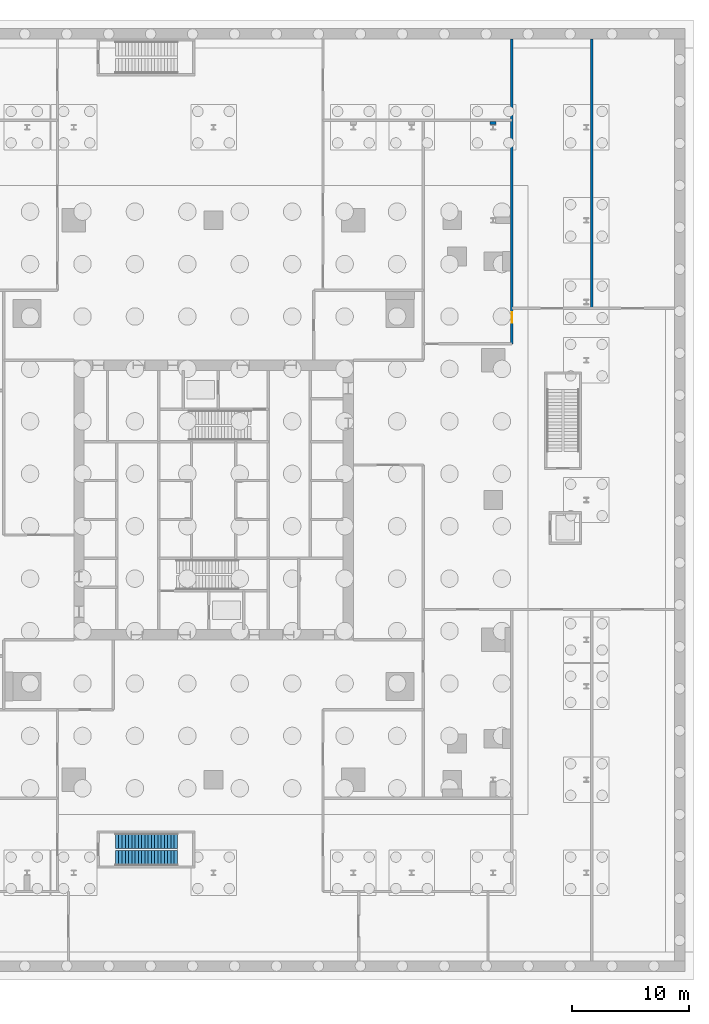
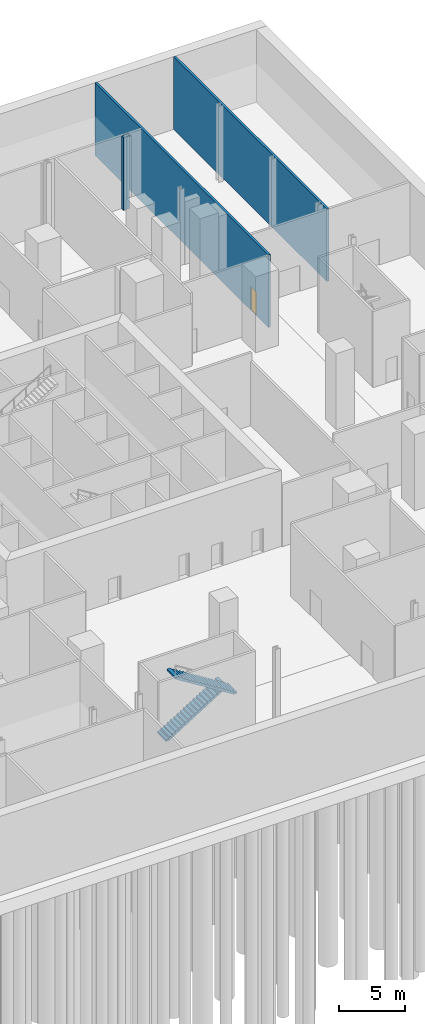
# One storey, part 12 of 15: 3 walls, 2 stair flights, 1 door, 1 opening, 1 element without a shape of its own.
"""IFC4 building model written with IfcOpenShell, lengths in metres."""

from ifc_helpers import new_model, si_unit, direction, frame, frame_2d, origin, place, context, subcontext, project, spatial, polyline, rectangle, outline, extrude, material, layer, layer_set, type_object, element, fill, aggregate, save


model = new_model("IFC4")

# Units and contexts
model_context = context("Model", 3, precision=1e-05, world=origin(), true_north=direction((0.0, 1.0)))
body_context = subcontext(model_context, "Body", "Model", "MODEL_VIEW")
ifc_project = project(units=[si_unit("LENGTHUNIT", "METRE"), si_unit("AREAUNIT", "SQUARE_METRE"), si_unit("VOLUMEUNIT", "CUBIC_METRE"), si_unit("PLANEANGLEUNIT", "RADIAN"), si_unit("MASSUNIT", "GRAM", prefix="KILO")], contexts=[model_context])

# Site, building, storey
site_placement = place(None, origin())
site = spatial("IfcSite", under=ifc_project, at=site_placement, CompositionType="ELEMENT")
building_placement = place(site_placement, origin())
building = spatial("IfcBuilding", under=site, at=building_placement, Name="Fenwick Lantern Interchange", CompositionType="ELEMENT")
storey_placement = place(building_placement, frame((0.0, 0.0, -7.0)))
storey = spatial("IfcBuildingStorey", under=building, at=storey_placement, Name="B-1", CompositionType="ELEMENT", Elevation=-7.0)

# Wall
ifc_material_1 = material(Name="Fire-rated gypsum board encasement on steel studs, 2 hour", Category="steel")
ifc_layer_1 = layer(ifc_material_1, 0.51708984375)
ifc_layer_set_1 = layer_set([ifc_layer_1], Name="COLUMN PIER 517")
wall_type_1 = type_object("IfcWallType", Name="COLUMN PIER 517", PredefinedType="PARTITIONING", material=ifc_layer_set_1)
wall_1_placement = place(storey_placement, frame((49.0, 57.5, 0.0), z_axis=(0.0, 0.0, 1.0), x_axis=(0.0, -1.0, 0.0)))
element("IfcWall", 1, at=wall_1_placement, inside=storey, type_object=wall_type_1, Name="B-1/W/PIER/PK9", PredefinedType="PARTITIONING", context=body_context, shape_type="SweptSolid", body=[
    extrude(rectangle(XDim=0.27783203125, YDim=0.51708984375, at=frame_2d((0.138916015625, 0.0))), origin(), (0.0, 0.0, 1.0), 6.699951171875),
])

# Wall, opening, door
ifc_material_2 = material(Name="Gypsum board on steel studs, 1 hour", Category="steel")
ifc_layer_2 = layer(ifc_material_2, 0.199951171875)
ifc_layer_set_2 = layer_set([ifc_layer_2], Name="ROOM WALL 200")
wall_type_2 = type_object("IfcWallType", Name="ROOM WALL 200", PredefinedType="PARTITIONING", material=ifc_layer_set_2)
wall_2_placement = place(storey_placement, frame((50.60009765625, 38.39990234375, 0.0), z_axis=(0.0, 0.0, 1.0), x_axis=(0.0, 1.0, 0.0)))
wall_2 = element("IfcWall", 2, at=wall_2_placement, inside=storey, type_object=wall_type_2, Name="B-1/W/POD/X50.6-2", PredefinedType="PARTITIONING", context=body_context, shape_type="SweptSolid", body=[
    extrude(rectangle(XDim=26.150146484375, YDim=0.199951171875, at=frame_2d((13.0751953125, 0.0))), origin(), (0.0, 0.0, 1.0), 6.699951171875),
])
opening_placement = place(wall_2_placement, frame((1.800048828125, 0.0, 0.0)))
opening = element("IfcOpeningElement", 3, at=opening_placement, cuts=wall_2, Name="Opening B-1-D035", PredefinedType="OPENING", context=body_context, shape_type="SweptSolid", body=[
    extrude(rectangle(XDim=0.89990234375, YDim=2.199951171875, at=frame_2d((0.449951171875, 1.10009765625))), frame((0.0, 0.10986328125, 0.0), z_axis=(0.0, -1.0, 0.0), x_axis=(1.0, 0.0, 0.0)), (0.0, 0.0, 1.0), 0.219970703125),
])
ifc_material_3 = material(Name="Hardwood door and steel frame", Category="steel")
door_type = type_object("IfcDoorType", Name="OFFICE DOOR 900 X 2200", OperationType="SINGLE_SWING_LEFT", PredefinedType="DOOR", material=ifc_material_3)
door_placement = place(opening_placement, frame((0.89990234375, 0.0, 0.0), z_axis=(0.0, 0.0, 1.0), x_axis=(-1.0, 0.0, 0.0)))
door = element("IfcDoor", 4, at=door_placement, inside=storey, type_object=door_type, Name="Office door", OperationType="SINGLE_SWING_LEFT", OverallHeight=2.199951171875, OverallWidth=0.89990234375, PredefinedType="DOOR", context=body_context, shape_type="SweptSolid", body=[
    extrude(rectangle(XDim=0.89990234375, YDim=2.199951171875, at=frame_2d((0.449951171875, 1.10009765625))), frame((0.0, 0.02490234375, 0.0), z_axis=(0.0, -1.0, 0.0), x_axis=(1.0, 0.0, 0.0)), (0.0, 0.0, 1.0), 0.050048828125),
])
fill(opening, door)

# Wall
wall_3_placement = place(storey_placement, frame((57.449951171875, 41.449951171875, 0.0), z_axis=(0.0, 0.0, 1.0), x_axis=(0.0, 1.0, 0.0)))
element("IfcWall", 5, at=wall_3_placement, inside=storey, type_object=wall_type_2, Name="B-1/W/POD/X57.45-2", PredefinedType="PARTITIONING", context=body_context, shape_type="SweptSolid", body=[
    extrude(rectangle(XDim=23.10009765625, YDim=0.199951171875, at=frame_2d((11.550048828125, 0.0))), origin(), (0.0, 0.0, 1.0), 6.699951171875),
])

# Stair, stair flights
ifc_material_4 = material(Name="Precast concrete f'c 35 MPa", Category="concrete")
stair_type = type_object("IfcStairType", Name="EXIT STAIR 1300", PredefinedType="HALF_TURN_STAIR", material=ifc_material_4)
stair_placement = place(storey_placement, origin())
stair = element("IfcStair", 6, at=stair_placement, inside=storey, type_object=stair_type, Name="Exit stair PS2", PredefinedType="HALF_TURN_STAIR")
stair_flight_type = type_object("IfcStairFlightType", Name="STAIR FLIGHT 1300", PredefinedType="STRAIGHT", material=ifc_material_4)
stair_flight_1_placement = place(storey_placement, frame((16.580078125, -4.25, 0.0), z_axis=(0.0, 0.0, 1.0), x_axis=(1.0, 0.0, 0.0)))
stair_flight_1 = element("IfcStairFlight", 7, at=stair_flight_1_placement, type_object=stair_flight_type, Name="PS2 flight 1", NumberOfRisers=20, NumberOfTreads=19, PredefinedType="STRAIGHT", RiserHeight=0.175, TreadLength=0.28, context=body_context, shape_type="SweptSolid", body=[
    extrude(outline(polyline([(0.0, 0.0), (0.0, 0.175048828125), (0.280029296875, 0.175048828125), (0.280029296875, 0.35009765625), (0.56005859375, 0.35009765625), (0.56005859375, 0.52490234375), (0.840087890625, 0.52490234375), (0.840087890625, 0.699951171875), (1.1201171875, 0.699951171875), (1.1201171875, 0.875), (1.39990234375, 0.875), (1.39990234375, 1.050048828125), (1.679931640625, 1.050048828125), (1.679931640625, 1.22509765625), (1.9599609375, 1.22509765625), (1.9599609375, 1.39990234375), (2.239990234375, 1.39990234375), (2.239990234375, 1.574951171875), (2.52001953125, 1.574951171875), (2.52001953125, 1.75), (2.800048828125, 1.75), (2.800048828125, 1.925048828125), (3.080078125, 1.925048828125), (3.080078125, 2.10009765625), (3.360107421875, 2.10009765625), (3.360107421875, 2.27490234375), (3.639892578125, 2.27490234375), (3.639892578125, 2.449951171875), (3.919921875, 2.449951171875), (3.919921875, 2.625), (4.199951171875, 2.625), (4.199951171875, 2.800048828125), (4.47998046875, 2.800048828125), (4.47998046875, 2.97509765625), (4.760009765625, 2.97509765625), (4.760009765625, 3.14990234375), (5.0400390625, 3.14990234375), (5.0400390625, 3.324951171875), (5.320068359375, 3.324951171875), (5.320068359375, 3.5), (5.320068359375, 3.148193359375), (0.28271484375, 0.0), (0.0, 0.0)])), frame((0.0, 0.64990234375, 0.0), z_axis=(0.0, -1.0, 0.0), x_axis=(1.0, 0.0, 0.0)), (0.0, 0.0, 1.0), 1.300048828125),
])
stair_flight_2_placement = place(storey_placement, frame((21.89990234375, -5.75, 3.5), z_axis=(0.0, 0.0, 1.0), x_axis=(-1.0, 0.0, 0.0)))
stair_flight_2 = element("IfcStairFlight", 8, at=stair_flight_2_placement, type_object=stair_flight_type, Name="PS2 flight 2", NumberOfRisers=20, NumberOfTreads=19, PredefinedType="STRAIGHT", RiserHeight=0.175, TreadLength=0.28, context=body_context, shape_type="SweptSolid", body=[
    extrude(outline(polyline([(0.0, 0.0), (0.0, 0.175048828125), (0.280029296875, 0.175048828125), (0.280029296875, 0.35009765625), (0.56005859375, 0.35009765625), (0.56005859375, 0.52490234375), (0.840087890625, 0.52490234375), (0.840087890625, 0.699951171875), (1.1201171875, 0.699951171875), (1.1201171875, 0.875), (1.39990234375, 0.875), (1.39990234375, 1.050048828125), (1.679931640625, 1.050048828125), (1.679931640625, 1.22509765625), (1.9599609375, 1.22509765625), (1.9599609375, 1.39990234375), (2.239990234375, 1.39990234375), (2.239990234375, 1.574951171875), (2.52001953125, 1.574951171875), (2.52001953125, 1.75), (2.800048828125, 1.75), (2.800048828125, 1.925048828125), (3.080078125, 1.925048828125), (3.080078125, 2.10009765625), (3.360107421875, 2.10009765625), (3.360107421875, 2.27490234375), (3.639892578125, 2.27490234375), (3.639892578125, 2.449951171875), (3.919921875, 2.449951171875), (3.919921875, 2.625), (4.199951171875, 2.625), (4.199951171875, 2.800048828125), (4.47998046875, 2.800048828125), (4.47998046875, 2.97509765625), (4.760009765625, 2.97509765625), (4.760009765625, 3.14990234375), (5.0400390625, 3.14990234375), (5.0400390625, 3.324951171875), (5.320068359375, 3.324951171875), (5.320068359375, 3.5), (5.320068359375, 3.148193359375), (0.28271484375, 0.0), (0.0, 0.0)])), frame((0.0, 0.64990234375, 0.0), z_axis=(0.0, -1.0, 0.0), x_axis=(1.0, 0.0, 0.0)), (0.0, 0.0, 1.0), 1.300048828125),
])
aggregate(stair, [stair_flight_1, stair_flight_2])

save(model, "model.ifc")
